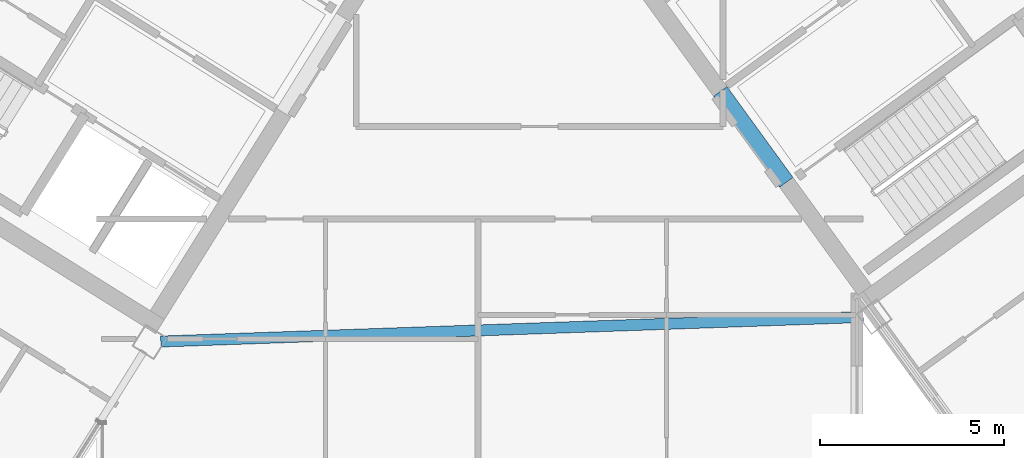
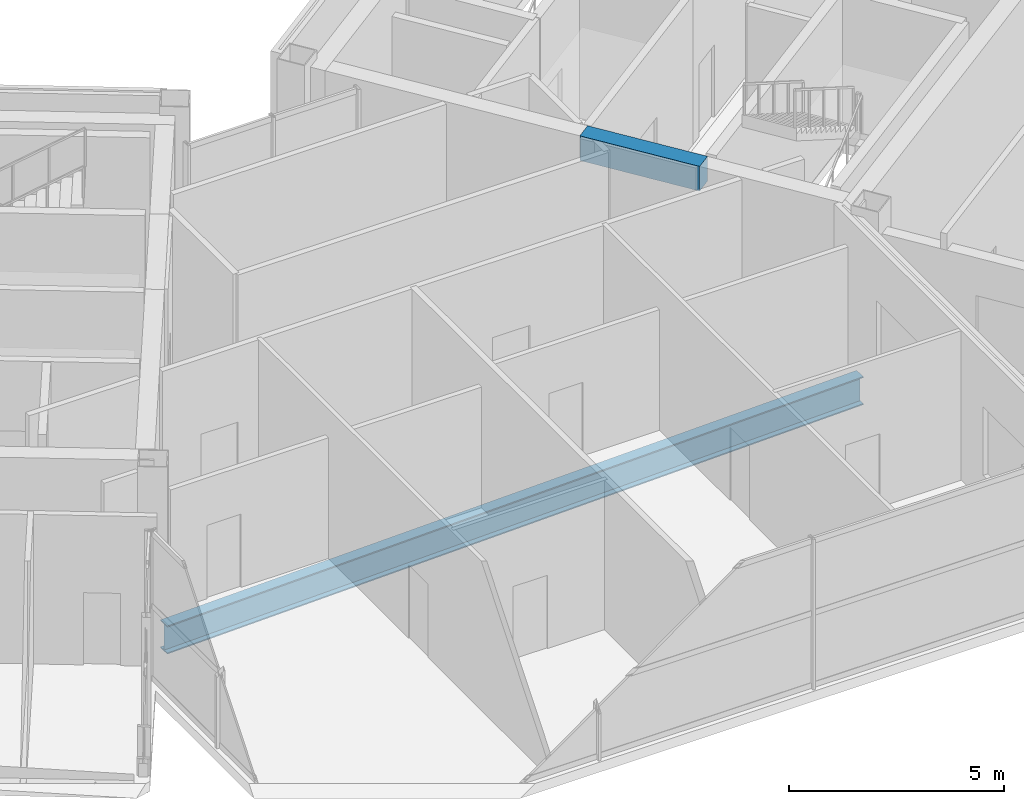
# One storey, part 9 of 27: 2 beams.
"""IFC4 building model written with IfcOpenShell, lengths in metres."""

from ifc_helpers import new_model, si_unit, direction, frame, origin, origin_2d, place, context, subcontext, project, spatial, rectangle, i_section, extrude, source, transform, mapped, material, material_profile, profile_set, type_object, element, save


model = new_model("IFC4")

# Units and contexts
model_context = context("Model", 3, precision=1e-05, world=origin(), true_north=direction((0.0, 1.0)))
body_context = subcontext(model_context, "Body", "Model", "MODEL_VIEW")
ifc_project = project(units=[si_unit("LENGTHUNIT", "METRE"), si_unit("AREAUNIT", "SQUARE_METRE"), si_unit("VOLUMEUNIT", "CUBIC_METRE"), si_unit("PLANEANGLEUNIT", "RADIAN"), si_unit("MASSUNIT", "GRAM", prefix="KILO")], contexts=[model_context])

# Site, building, storey
site_placement = place(None, origin())
site = spatial("IfcSite", under=ifc_project, at=site_placement, CompositionType="ELEMENT")
building_placement = place(site_placement, origin())
building = spatial("IfcBuilding", under=site, at=building_placement, Name="Tlacorven Tower", CompositionType="ELEMENT")
storey_placement = place(building_placement, frame((0.0, 0.0, 254.699951171875)))
storey = spatial("IfcBuildingStorey", under=building, at=storey_placement, Name="L64", CompositionType="ELEMENT", Elevation=254.699951171875)

# Beams
ifc_material_1 = material(Name="Concrete C60/75", Category="concrete")
ifc_material_profile_1 = material_profile(ifc_material_1, rectangle(XDim=0.449951171875, YDim=0.699951171875, at=origin_2d()), Name="RC 450X700")
ifc_profile_set_1 = profile_set([ifc_material_profile_1], Name="Concrete C60/75")
beam_type_1 = type_object("IfcBeamType", Name="BM-LNT-700", PredefinedType="LINTEL", material=ifc_profile_set_1)
shared_shape_1 = source(origin(), body_context, "Body", "SweptSolid", [
    extrude(rectangle(XDim=0.449951171875, YDim=0.699951171875, at=origin_2d()), origin(), (0.0, 0.0, 1.0), 3.050048828125),
])
beam_1_placement = place(storey_placement, frame((50.318359375, 16.416015625, 3.900146484375), z_axis=(-0.587776590479, 0.80902328748, 0.0), x_axis=(-0.80902328748, -0.587776590479, 0.0)))
element("IfcBeam", 1, at=beam_1_placement, inside=storey, type_object=beam_type_1, Name="L64 E core coupling lintel beam E1", PredefinedType="LINTEL", context=body_context, shape_type="MappedRepresentation", body=[
    mapped(shared_shape_1, transform((0.0, 0.0, 0.0), scale=1.0)),
])
ifc_material_2 = material(Name="Steel S355J2", Category="steel")
ifc_material_profile_2 = material_profile(ifc_material_2, i_section(OverallWidth=0.300048828125, OverallDepth=0.800048828125, WebThickness=0.017578125, FlangeThickness=0.032958984375, at=origin_2d()), Name="HEB 800")
ifc_profile_set_2 = profile_set([ifc_material_profile_2], Name="Steel S355J2")
beam_type_2 = type_object("IfcBeamType", Name="BM-POD-800", PredefinedType="BEAM", material=ifc_profile_set_2)
shared_shape_2 = source(origin(), body_context, "Body", "SweptSolid", [
    extrude(i_section(OverallWidth=0.300048828125, OverallDepth=0.800048828125, WebThickness=0.017578125, FlangeThickness=0.032958984375, at=origin_2d()), origin(), (0.0, 0.0, 1.0), 19.0712890625),
])
beam_2_placement = place(storey_placement, frame((33.345947265625, 12.097412109375, -0.679931640625), z_axis=(0.999390913919, 0.034897008138, 0.0), x_axis=(-0.034897008138, 0.999390913919, 0.0)))
element("IfcBeam", 2, at=beam_2_placement, inside=storey, type_object=beam_type_2, Name="L64 Knuckle Link Girder 2", PredefinedType="BEAM", context=body_context, shape_type="MappedRepresentation", body=[
    mapped(shared_shape_2, transform((0.0, 0.0, 0.0), scale=1.0)),
])

save(model, "model.ifc")
